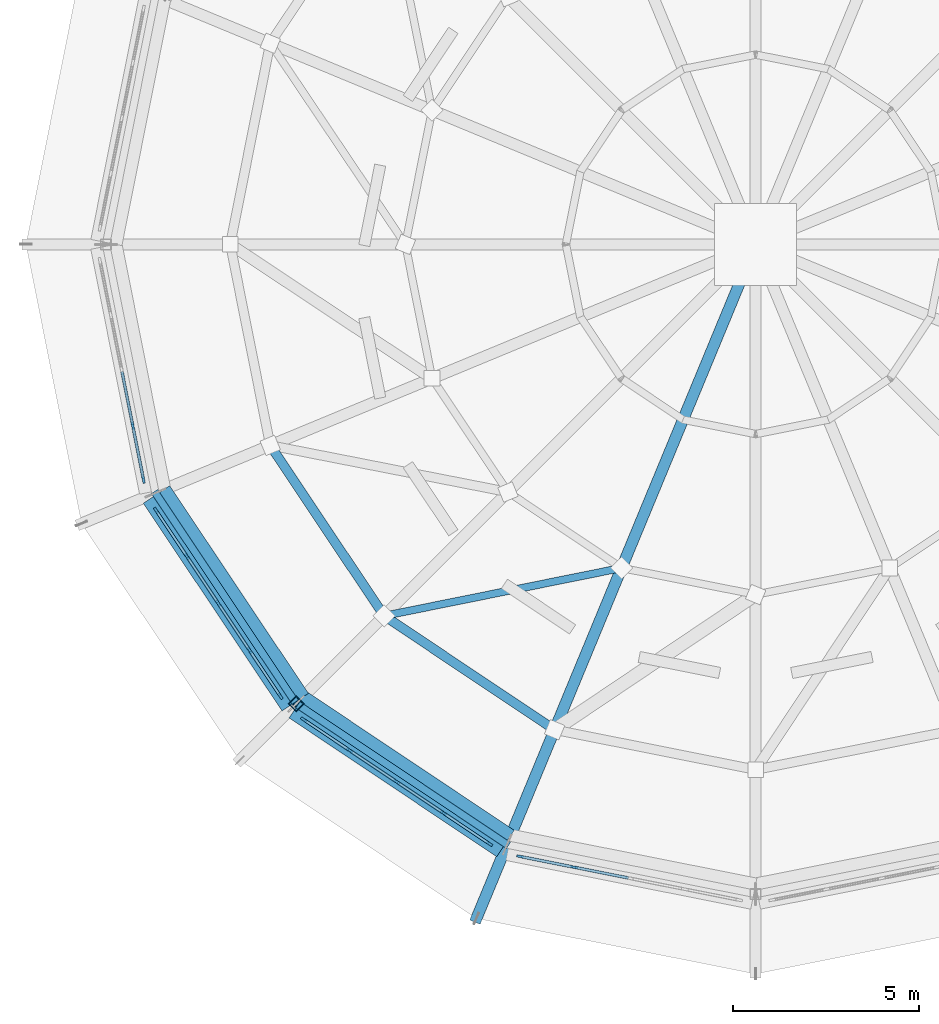
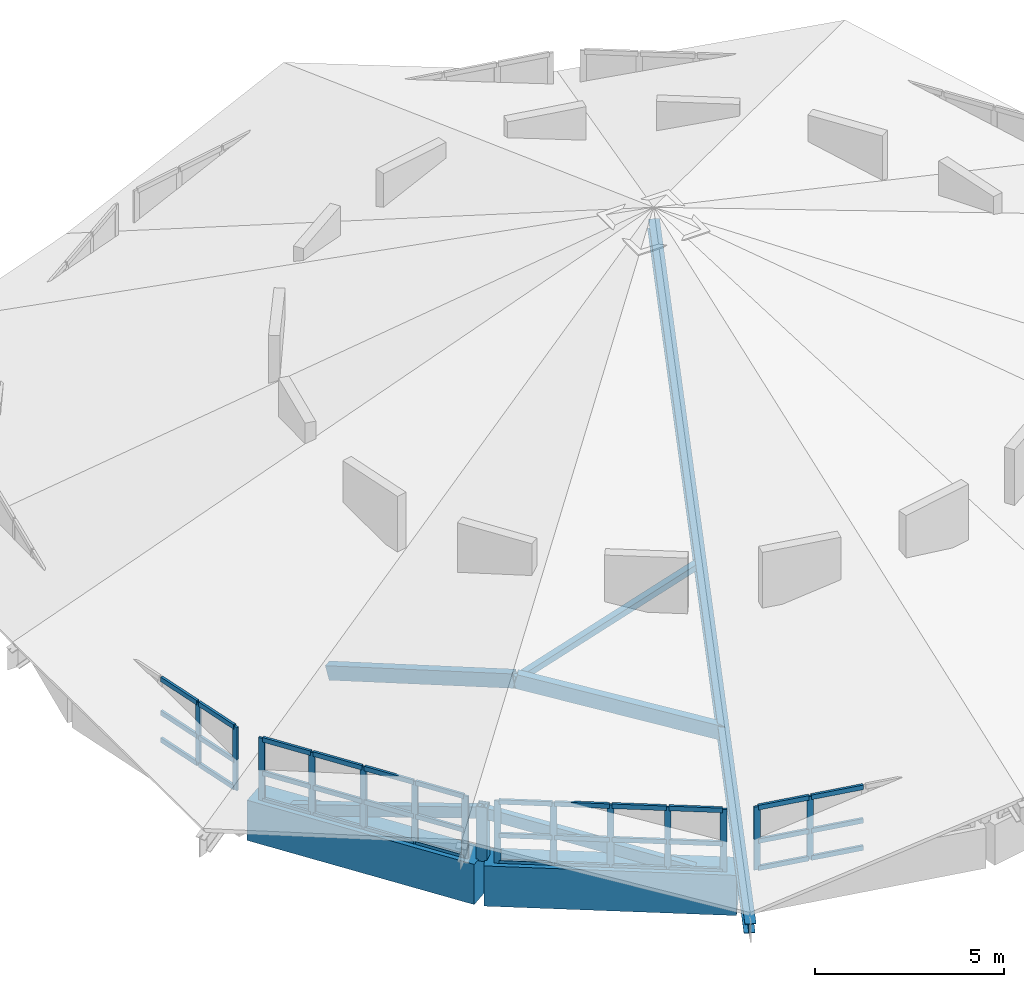
# One storey, part 1 of 18: 57 members, 2 beams, 4 elements without a shape of their own.
"""IFC4 building model written with IfcOpenShell, lengths in metres."""

from ifc_helpers import new_model, si_unit, direction, frame, origin, origin_2d, place, context, subcontext, project, spatial, rectangle, hollow_rectangle, i_section, extrude, material, material_profile, profile_set, type_object, element, aggregate, save


model = new_model("IFC4")

# Units and contexts
model_context = context("Model", 3, precision=1e-05, world=origin(), true_north=direction((0.0, 1.0)))
body_context = subcontext(model_context, "Body", "Model", "MODEL_VIEW")
ifc_project = project(units=[si_unit("LENGTHUNIT", "METRE"), si_unit("AREAUNIT", "SQUARE_METRE"), si_unit("VOLUMEUNIT", "CUBIC_METRE"), si_unit("PLANEANGLEUNIT", "RADIAN"), si_unit("MASSUNIT", "GRAM", prefix="KILO")], contexts=[model_context])

# Site, building, storey
site_placement = place(None, origin())
site = spatial("IfcSite", under=ifc_project, at=site_placement, CompositionType="ELEMENT")
building_placement = place(site_placement, origin())
building = spatial("IfcBuilding", under=site, at=building_placement, Name="Soyqirgoq Riverine Aquarium", CompositionType="ELEMENT")
storey_placement = place(building_placement, frame((0.0, 0.0, 29.39990234375)))
storey = spatial("IfcBuildingStorey", under=building, at=storey_placement, Name="RF", CompositionType="ELEMENT", Elevation=29.39990234375)

# Curtain wall, members
ifc_material_1 = material(Name="Anodised aluminium acoustic solar-control clerestory glazing", Category="aluminium")
curtain_wall_type = type_object("IfcCurtainWallType", Name="CW_Clerestory_Ring", PredefinedType="NOTDEFINED", material=ifc_material_1)
curtain_wall_1_placement = place(storey_placement, origin())
curtain_wall_1 = element("IfcCurtainWall", 1, at=curtain_wall_1_placement, inside=storey, type_object=curtain_wall_type, Name="V1 RF Curtain Wall 033", PredefinedType="NOTDEFINED")
ifc_material_2 = material(Name="Anodised aluminium 6063-T6", Category="aluminium")
ifc_material_profile_1 = material_profile(ifc_material_2, rectangle(XDim=0.06494140625, YDim=0.179931640625, at=origin_2d()), Name="ALU-M 65x180")
ifc_profile_set_1 = profile_set([ifc_material_profile_1], Name="Anodised aluminium 6063-T6")
member_type_1 = type_object("IfcMemberType", Name="CWMullion_65x180", PredefinedType="MULLION", material=ifc_profile_set_1)
member_1_placement = place(storey_placement, frame((39.26953125, 52.125732421875, -0.02001953125), z_axis=(0.0, 0.0, 1.0), x_axis=(0.980784299821, 0.19509525167, 0.0)))
member_1 = element("IfcMember", 2, at=member_1_placement, type_object=member_type_1, Name="CW-02 mullion 4", PredefinedType="MULLION", context=body_context, shape_type="SweptSolid", body=[
    extrude(rectangle(XDim=0.06494140625, YDim=0.179931640625, at=origin_2d()), origin(), (0.0, 0.0, 1.0), 2.0400390625),
])
member_2_placement = place(storey_placement, frame((39.55908203125, 50.670166015625, -0.02001953125), z_axis=(0.0, 0.0, 1.0), x_axis=(0.980784299821, 0.19509525167, 0.0)))
member_2 = element("IfcMember", 3, at=member_2_placement, type_object=member_type_1, Name="CW-02 mullion 5", PredefinedType="MULLION", context=body_context, shape_type="SweptSolid", body=[
    extrude(rectangle(XDim=0.06494140625, YDim=0.179931640625, at=origin_2d()), origin(), (0.0, 0.0, 1.0), 2.0400390625),
])

curtain_wall_2_placement = place(storey_placement, origin())
curtain_wall_2 = element("IfcCurtainWall", 4, at=curtain_wall_2_placement, inside=storey, type_object=curtain_wall_type, Name="V1 RF Curtain Wall 040", PredefinedType="NOTDEFINED")
member_3_placement = place(storey_placement, frame((39.898681640625, 49.850341796875, -0.02001953125), z_axis=(0.0, 0.0, 1.0), x_axis=(0.831463994905, 0.555578639957, 0.0)))
member_3 = element("IfcMember", 5, at=member_3_placement, type_object=member_type_1, Name="CW-02 mullion 1", PredefinedType="MULLION", context=body_context, shape_type="SweptSolid", body=[
    extrude(rectangle(XDim=0.06494140625, YDim=0.179931640625, at=origin_2d()), origin(), (0.0, 0.0, 1.0), 2.0400390625),
])
member_4_placement = place(storey_placement, frame((40.72314453125, 48.6162109375, -0.02001953125), z_axis=(0.0, 0.0, 1.0), x_axis=(0.831463994905, 0.555578639957, 0.0)))
member_4 = element("IfcMember", 6, at=member_4_placement, type_object=member_type_1, Name="CW-02 mullion 2", PredefinedType="MULLION", context=body_context, shape_type="SweptSolid", body=[
    extrude(rectangle(XDim=0.06494140625, YDim=0.179931640625, at=origin_2d()), origin(), (0.0, 0.0, 1.0), 2.0400390625),
])
member_5_placement = place(storey_placement, frame((41.565673828125, 47.35546875, -0.02001953125), z_axis=(0.0, 0.0, 1.0), x_axis=(0.831463994905, 0.555578639957, 0.0)))
member_5 = element("IfcMember", 7, at=member_5_placement, type_object=member_type_1, Name="CW-02 mullion 3", PredefinedType="MULLION", context=body_context, shape_type="SweptSolid", body=[
    extrude(rectangle(XDim=0.06494140625, YDim=0.179931640625, at=origin_2d()), origin(), (0.0, 0.0, 1.0), 2.0400390625),
])
member_6_placement = place(storey_placement, frame((42.408203125, 46.094482421875, -0.02001953125), z_axis=(0.0, 0.0, 1.0), x_axis=(0.831463994905, 0.555578639957, 0.0)))
member_6 = element("IfcMember", 8, at=member_6_placement, type_object=member_type_1, Name="CW-02 mullion 4", PredefinedType="MULLION", context=body_context, shape_type="SweptSolid", body=[
    extrude(rectangle(XDim=0.06494140625, YDim=0.179931640625, at=origin_2d()), origin(), (0.0, 0.0, 1.0), 2.0400390625),
])
member_7_placement = place(storey_placement, frame((43.23291015625, 44.8603515625, -0.02001953125), z_axis=(0.0, 0.0, 1.0), x_axis=(0.831463994905, 0.555578639957, 0.0)))
member_7 = element("IfcMember", 9, at=member_7_placement, type_object=member_type_1, Name="CW-02 mullion 5", PredefinedType="MULLION", context=body_context, shape_type="SweptSolid", body=[
    extrude(rectangle(XDim=0.06494140625, YDim=0.179931640625, at=origin_2d()), origin(), (0.0, 0.0, 1.0), 2.0400390625),
])

curtain_wall_3_placement = place(storey_placement, origin())
curtain_wall_3 = element("IfcCurtainWall", 10, at=curtain_wall_3_placement, inside=storey, type_object=curtain_wall_type, Name="V1 RF Curtain Wall 047", PredefinedType="NOTDEFINED")
member_8_placement = place(storey_placement, frame((43.8603515625, 44.23291015625, -0.02001953125), z_axis=(0.0, 0.0, 1.0), x_axis=(0.555578639957, 0.831463994905, 0.0)))
member_8 = element("IfcMember", 11, at=member_8_placement, type_object=member_type_1, Name="CW-02 mullion 1", PredefinedType="MULLION", context=body_context, shape_type="SweptSolid", body=[
    extrude(rectangle(XDim=0.06494140625, YDim=0.179931640625, at=origin_2d()), origin(), (0.0, 0.0, 1.0), 2.0400390625),
])
member_9_placement = place(storey_placement, frame((45.094482421875, 43.408203125, -0.02001953125), z_axis=(0.0, 0.0, 1.0), x_axis=(0.555578639957, 0.831463994905, 0.0)))
member_9 = element("IfcMember", 12, at=member_9_placement, type_object=member_type_1, Name="CW-02 mullion 2", PredefinedType="MULLION", context=body_context, shape_type="SweptSolid", body=[
    extrude(rectangle(XDim=0.06494140625, YDim=0.179931640625, at=origin_2d()), origin(), (0.0, 0.0, 1.0), 2.0400390625),
])
member_10_placement = place(storey_placement, frame((46.35546875, 42.565673828125, -0.02001953125), z_axis=(0.0, 0.0, 1.0), x_axis=(0.555578639957, 0.831463994905, 0.0)))
member_10 = element("IfcMember", 13, at=member_10_placement, type_object=member_type_1, Name="CW-02 mullion 3", PredefinedType="MULLION", context=body_context, shape_type="SweptSolid", body=[
    extrude(rectangle(XDim=0.06494140625, YDim=0.179931640625, at=origin_2d()), origin(), (0.0, 0.0, 1.0), 2.0400390625),
])
member_11_placement = place(storey_placement, frame((47.6162109375, 41.72314453125, -0.02001953125), z_axis=(0.0, 0.0, 1.0), x_axis=(0.555578639957, 0.831463994905, 0.0)))
member_11 = element("IfcMember", 14, at=member_11_placement, type_object=member_type_1, Name="CW-02 mullion 4", PredefinedType="MULLION", context=body_context, shape_type="SweptSolid", body=[
    extrude(rectangle(XDim=0.06494140625, YDim=0.179931640625, at=origin_2d()), origin(), (0.0, 0.0, 1.0), 2.0400390625),
])
member_12_placement = place(storey_placement, frame((48.850341796875, 40.898681640625, -0.02001953125), z_axis=(0.0, 0.0, 1.0), x_axis=(0.555578639957, 0.831463994905, 0.0)))
member_12 = element("IfcMember", 15, at=member_12_placement, type_object=member_type_1, Name="CW-02 mullion 5", PredefinedType="MULLION", context=body_context, shape_type="SweptSolid", body=[
    extrude(rectangle(XDim=0.06494140625, YDim=0.179931640625, at=origin_2d()), origin(), (0.0, 0.0, 1.0), 2.0400390625),
])

curtain_wall_4_placement = place(storey_placement, origin())
curtain_wall_4 = element("IfcCurtainWall", 16, at=curtain_wall_4_placement, inside=storey, type_object=curtain_wall_type, Name="V1 RF Curtain Wall 054", PredefinedType="NOTDEFINED")
member_13_placement = place(storey_placement, frame((49.670166015625, 40.55908203125, -0.02001953125), z_axis=(0.0, 0.0, 1.0), x_axis=(0.19509525167, 0.980784299821, 0.0)))
member_13 = element("IfcMember", 17, at=member_13_placement, type_object=member_type_1, Name="CW-02 mullion 1", PredefinedType="MULLION", context=body_context, shape_type="SweptSolid", body=[
    extrude(rectangle(XDim=0.06494140625, YDim=0.179931640625, at=origin_2d()), origin(), (0.0, 0.0, 1.0), 2.0400390625),
])
member_14_placement = place(storey_placement, frame((51.125732421875, 40.26953125, -0.02001953125), z_axis=(0.0, 0.0, 1.0), x_axis=(0.19509525167, 0.980784299821, 0.0)))
member_14 = element("IfcMember", 18, at=member_14_placement, type_object=member_type_1, Name="CW-02 mullion 2", PredefinedType="MULLION", context=body_context, shape_type="SweptSolid", body=[
    extrude(rectangle(XDim=0.06494140625, YDim=0.179931640625, at=origin_2d()), origin(), (0.0, 0.0, 1.0), 2.0400390625),
])

# Member
ifc_material_3 = material(Name="Anodised aluminium 6063-T6", Category="aluminium")
ifc_material_profile_2 = material_profile(ifc_material_3, rectangle(XDim=0.074951171875, YDim=0.14990234375, at=origin_2d()), Name="ALU-T 75x150")
ifc_profile_set_2 = profile_set([ifc_material_profile_2], Name="Anodised aluminium 6063-T6")
member_type_2 = type_object("IfcMemberType", Name="CWTransom_75x150", PredefinedType="USERDEFINED", material=ifc_profile_set_2)
member_15_placement = place(storey_placement, frame((38.97998046875, 53.581298828125, 0.017578125), z_axis=(0.195113295173, -0.980780710478, 0.0), x_axis=(0.980780710478, 0.195113295173, 0.0)))
member_15 = element("IfcMember", 19, at=member_15_placement, type_object=member_type_2, Name="CW-02 transom 3.1", ObjectType="TRANSOM", PredefinedType="USERDEFINED", context=body_context, shape_type="SweptSolid", body=[
    extrude(rectangle(XDim=0.074951171875, YDim=0.14990234375, at=origin_2d()), origin(), (0.0, 0.0, 1.0), 1.451416015625),
])

member_16_placement = place(storey_placement, frame((38.97998046875, 53.581298828125, 0.898193359375), z_axis=(0.195113295173, -0.980780710478, 0.0), x_axis=(0.980780710478, 0.195113295173, 0.0)))
member_16 = element("IfcMember", 20, at=member_16_placement, type_object=member_type_2, Name="CW-02 transom 3.2", ObjectType="TRANSOM", PredefinedType="USERDEFINED", context=body_context, shape_type="SweptSolid", body=[
    extrude(rectangle(XDim=0.074951171875, YDim=0.14990234375, at=origin_2d()), origin(), (0.0, 0.0, 1.0), 1.451416015625),
])

member_17_placement = place(storey_placement, frame((38.97998046875, 53.581298828125, 1.982666015625), z_axis=(0.195113295173, -0.980780710478, 0.0), x_axis=(0.980780710478, 0.195113295173, 0.0)))
member_17 = element("IfcMember", 21, at=member_17_placement, type_object=member_type_2, Name="CW-02 transom 3.3", ObjectType="TRANSOM", PredefinedType="USERDEFINED", context=body_context, shape_type="SweptSolid", body=[
    extrude(rectangle(XDim=0.074951171875, YDim=0.14990234375, at=origin_2d()), origin(), (0.0, 0.0, 1.0), 1.451416015625),
])

member_18_placement = place(storey_placement, frame((39.27587890625, 52.093994140625, 0.017578125), z_axis=(0.195090420246, -0.980785260864, 0.0), x_axis=(0.980785260864, 0.195090420246, 0.0)))
member_18 = element("IfcMember", 22, at=member_18_placement, type_object=member_type_2, Name="CW-02 transom 4.1", ObjectType="TRANSOM", PredefinedType="USERDEFINED", context=body_context, shape_type="SweptSolid", body=[
    extrude(rectangle(XDim=0.074951171875, YDim=0.14990234375, at=origin_2d()), origin(), (0.0, 0.0, 1.0), 1.419189453125),
])

member_19_placement = place(storey_placement, frame((39.27587890625, 52.093994140625, 0.898193359375), z_axis=(0.195090420246, -0.980785260864, 0.0), x_axis=(0.980785260864, 0.195090420246, 0.0)))
member_19 = element("IfcMember", 23, at=member_19_placement, type_object=member_type_2, Name="CW-02 transom 4.2", ObjectType="TRANSOM", PredefinedType="USERDEFINED", context=body_context, shape_type="SweptSolid", body=[
    extrude(rectangle(XDim=0.074951171875, YDim=0.14990234375, at=origin_2d()), origin(), (0.0, 0.0, 1.0), 1.419189453125),
])

member_20_placement = place(storey_placement, frame((39.27587890625, 52.093994140625, 1.982666015625), z_axis=(0.195090420246, -0.980785260864, 0.0), x_axis=(0.980785260864, 0.195090420246, 0.0)))
member_20 = element("IfcMember", 24, at=member_20_placement, type_object=member_type_2, Name="CW-02 transom 4.3", ObjectType="TRANSOM", PredefinedType="USERDEFINED", context=body_context, shape_type="SweptSolid", body=[
    extrude(rectangle(XDim=0.074951171875, YDim=0.14990234375, at=origin_2d()), origin(), (0.0, 0.0, 1.0), 1.419189453125),
])

aggregate(curtain_wall_1, [member_1, member_2, member_15, member_16, member_17, member_18, member_19, member_20])

member_21_placement = place(storey_placement, frame((39.916748046875, 49.8232421875, 0.017578125), z_axis=(0.55553367483, -0.831494038542, 0.0), x_axis=(0.831494038542, 0.55553367483, 0.0)))
member_21 = element("IfcMember", 25, at=member_21_placement, type_object=member_type_2, Name="CW-02 transom 1.1", ObjectType="TRANSOM", PredefinedType="USERDEFINED", context=body_context, shape_type="SweptSolid", body=[
    extrude(rectangle(XDim=0.074951171875, YDim=0.14990234375, at=origin_2d()), origin(), (0.0, 0.0, 1.0), 1.4189453125),
])

member_22_placement = place(storey_placement, frame((39.916748046875, 49.8232421875, 0.898193359375), z_axis=(0.55553367483, -0.831494038542, 0.0), x_axis=(0.831494038542, 0.55553367483, 0.0)))
member_22 = element("IfcMember", 26, at=member_22_placement, type_object=member_type_2, Name="CW-02 transom 1.2", ObjectType="TRANSOM", PredefinedType="USERDEFINED", context=body_context, shape_type="SweptSolid", body=[
    extrude(rectangle(XDim=0.074951171875, YDim=0.14990234375, at=origin_2d()), origin(), (0.0, 0.0, 1.0), 1.4189453125),
])

member_23_placement = place(storey_placement, frame((39.916748046875, 49.8232421875, 1.982666015625), z_axis=(0.55553367483, -0.831494038542, 0.0), x_axis=(0.831494038542, 0.55553367483, 0.0)))
member_23 = element("IfcMember", 27, at=member_23_placement, type_object=member_type_2, Name="CW-02 transom 1.3", ObjectType="TRANSOM", PredefinedType="USERDEFINED", context=body_context, shape_type="SweptSolid", body=[
    extrude(rectangle(XDim=0.074951171875, YDim=0.14990234375, at=origin_2d()), origin(), (0.0, 0.0, 1.0), 1.4189453125),
])

member_24_placement = place(storey_placement, frame((40.7412109375, 48.58935546875, 0.017578125), z_axis=(0.555514980368, -0.831506528289, 0.0), x_axis=(0.831506528289, 0.555514980368, 0.0)))
member_24 = element("IfcMember", 28, at=member_24_placement, type_object=member_type_2, Name="CW-02 transom 2.1", ObjectType="TRANSOM", PredefinedType="USERDEFINED", context=body_context, shape_type="SweptSolid", body=[
    extrude(rectangle(XDim=0.074951171875, YDim=0.14990234375, at=origin_2d()), origin(), (0.0, 0.0, 1.0), 1.45166015625),
])

member_25_placement = place(storey_placement, frame((40.7412109375, 48.58935546875, 0.898193359375), z_axis=(0.555514980368, -0.831506528289, 0.0), x_axis=(0.831506528289, 0.555514980368, 0.0)))
member_25 = element("IfcMember", 29, at=member_25_placement, type_object=member_type_2, Name="CW-02 transom 2.2", ObjectType="TRANSOM", PredefinedType="USERDEFINED", context=body_context, shape_type="SweptSolid", body=[
    extrude(rectangle(XDim=0.074951171875, YDim=0.14990234375, at=origin_2d()), origin(), (0.0, 0.0, 1.0), 1.45166015625),
])

member_26_placement = place(storey_placement, frame((40.7412109375, 48.58935546875, 1.982666015625), z_axis=(0.555514980368, -0.831506528289, 0.0), x_axis=(0.831506528289, 0.555514980368, 0.0)))
member_26 = element("IfcMember", 30, at=member_26_placement, type_object=member_type_2, Name="CW-02 transom 2.3", ObjectType="TRANSOM", PredefinedType="USERDEFINED", context=body_context, shape_type="SweptSolid", body=[
    extrude(rectangle(XDim=0.074951171875, YDim=0.14990234375, at=origin_2d()), origin(), (0.0, 0.0, 1.0), 1.45166015625),
])

member_27_placement = place(storey_placement, frame((41.583740234375, 47.328369140625, 0.017578125), z_axis=(0.555631247688, -0.831428840366, 0.0), x_axis=(0.831428840366, 0.555631247688, 0.0)))
member_27 = element("IfcMember", 31, at=member_27_placement, type_object=member_type_2, Name="CW-02 transom 3.1", ObjectType="TRANSOM", PredefinedType="USERDEFINED", context=body_context, shape_type="SweptSolid", body=[
    extrude(rectangle(XDim=0.074951171875, YDim=0.14990234375, at=origin_2d()), origin(), (0.0, 0.0, 1.0), 1.45166015625),
])

member_28_placement = place(storey_placement, frame((41.583740234375, 47.328369140625, 0.898193359375), z_axis=(0.555631247688, -0.831428840366, 0.0), x_axis=(0.831428840366, 0.555631247688, 0.0)))
member_28 = element("IfcMember", 32, at=member_28_placement, type_object=member_type_2, Name="CW-02 transom 3.2", ObjectType="TRANSOM", PredefinedType="USERDEFINED", context=body_context, shape_type="SweptSolid", body=[
    extrude(rectangle(XDim=0.074951171875, YDim=0.14990234375, at=origin_2d()), origin(), (0.0, 0.0, 1.0), 1.45166015625),
])

member_29_placement = place(storey_placement, frame((41.583740234375, 47.328369140625, 1.982666015625), z_axis=(0.555631247688, -0.831428840366, 0.0), x_axis=(0.831428840366, 0.555631247688, 0.0)))
member_29 = element("IfcMember", 33, at=member_29_placement, type_object=member_type_2, Name="CW-02 transom 3.3", ObjectType="TRANSOM", PredefinedType="USERDEFINED", context=body_context, shape_type="SweptSolid", body=[
    extrude(rectangle(XDim=0.074951171875, YDim=0.14990234375, at=origin_2d()), origin(), (0.0, 0.0, 1.0), 1.45166015625),
])

member_30_placement = place(storey_placement, frame((42.42626953125, 46.0673828125, 0.017578125), z_axis=(0.555652606731, -0.831414566046, 0.0), x_axis=(0.831414566046, 0.555652606731, 0.0)))
member_30 = element("IfcMember", 34, at=member_30_placement, type_object=member_type_2, Name="CW-02 transom 4.1", ObjectType="TRANSOM", PredefinedType="USERDEFINED", context=body_context, shape_type="SweptSolid", body=[
    extrude(rectangle(XDim=0.074951171875, YDim=0.14990234375, at=origin_2d()), origin(), (0.0, 0.0, 1.0), 1.419189453125),
])

member_31_placement = place(storey_placement, frame((42.42626953125, 46.0673828125, 0.898193359375), z_axis=(0.555652606731, -0.831414566046, 0.0), x_axis=(0.831414566046, 0.555652606731, 0.0)))
member_31 = element("IfcMember", 35, at=member_31_placement, type_object=member_type_2, Name="CW-02 transom 4.2", ObjectType="TRANSOM", PredefinedType="USERDEFINED", context=body_context, shape_type="SweptSolid", body=[
    extrude(rectangle(XDim=0.074951171875, YDim=0.14990234375, at=origin_2d()), origin(), (0.0, 0.0, 1.0), 1.419189453125),
])

member_32_placement = place(storey_placement, frame((42.42626953125, 46.0673828125, 1.982666015625), z_axis=(0.555652606731, -0.831414566046, 0.0), x_axis=(0.831414566046, 0.555652606731, 0.0)))
member_32 = element("IfcMember", 36, at=member_32_placement, type_object=member_type_2, Name="CW-02 transom 4.3", ObjectType="TRANSOM", PredefinedType="USERDEFINED", context=body_context, shape_type="SweptSolid", body=[
    extrude(rectangle(XDim=0.074951171875, YDim=0.14990234375, at=origin_2d()), origin(), (0.0, 0.0, 1.0), 1.419189453125),
])

aggregate(curtain_wall_2, [member_3, member_4, member_5, member_6, member_7, member_21, member_22, member_23, member_24, member_25, member_26, member_27, member_28, member_29, member_30, member_31, member_32])

member_33_placement = place(storey_placement, frame((43.887451171875, 44.21484375, 0.017578125), z_axis=(0.831414566046, -0.555652606731, 0.0), x_axis=(0.555652606731, 0.831414566046, 0.0)))
member_33 = element("IfcMember", 37, at=member_33_placement, type_object=member_type_2, Name="CW-02 transom 1.1", ObjectType="TRANSOM", PredefinedType="USERDEFINED", context=body_context, shape_type="SweptSolid", body=[
    extrude(rectangle(XDim=0.074951171875, YDim=0.14990234375, at=origin_2d()), origin(), (0.0, 0.0, 1.0), 1.419189453125),
])

member_34_placement = place(storey_placement, frame((43.887451171875, 44.21484375, 0.898193359375), z_axis=(0.831414566046, -0.555652606731, 0.0), x_axis=(0.555652606731, 0.831414566046, 0.0)))
member_34 = element("IfcMember", 38, at=member_34_placement, type_object=member_type_2, Name="CW-02 transom 1.2", ObjectType="TRANSOM", PredefinedType="USERDEFINED", context=body_context, shape_type="SweptSolid", body=[
    extrude(rectangle(XDim=0.074951171875, YDim=0.14990234375, at=origin_2d()), origin(), (0.0, 0.0, 1.0), 1.419189453125),
])

member_35_placement = place(storey_placement, frame((43.887451171875, 44.21484375, 1.982666015625), z_axis=(0.831414566046, -0.555652606731, 0.0), x_axis=(0.555652606731, 0.831414566046, 0.0)))
member_35 = element("IfcMember", 39, at=member_35_placement, type_object=member_type_2, Name="CW-02 transom 1.3", ObjectType="TRANSOM", PredefinedType="USERDEFINED", context=body_context, shape_type="SweptSolid", body=[
    extrude(rectangle(XDim=0.074951171875, YDim=0.14990234375, at=origin_2d()), origin(), (0.0, 0.0, 1.0), 1.419189453125),
])

member_36_placement = place(storey_placement, frame((45.121337890625, 43.390380859375, 0.017578125), z_axis=(0.831428840366, -0.555631247688, 0.0), x_axis=(0.555631247688, 0.831428840366, 0.0)))
member_36 = element("IfcMember", 40, at=member_36_placement, type_object=member_type_2, Name="CW-02 transom 2.1", ObjectType="TRANSOM", PredefinedType="USERDEFINED", context=body_context, shape_type="SweptSolid", body=[
    extrude(rectangle(XDim=0.074951171875, YDim=0.14990234375, at=origin_2d()), origin(), (0.0, 0.0, 1.0), 1.45166015625),
])

member_37_placement = place(storey_placement, frame((45.121337890625, 43.390380859375, 0.898193359375), z_axis=(0.831428840366, -0.555631247688, 0.0), x_axis=(0.555631247688, 0.831428840366, 0.0)))
member_37 = element("IfcMember", 41, at=member_37_placement, type_object=member_type_2, Name="CW-02 transom 2.2", ObjectType="TRANSOM", PredefinedType="USERDEFINED", context=body_context, shape_type="SweptSolid", body=[
    extrude(rectangle(XDim=0.074951171875, YDim=0.14990234375, at=origin_2d()), origin(), (0.0, 0.0, 1.0), 1.45166015625),
])

member_38_placement = place(storey_placement, frame((45.121337890625, 43.390380859375, 1.982666015625), z_axis=(0.831428840366, -0.555631247688, 0.0), x_axis=(0.555631247688, 0.831428840366, 0.0)))
member_38 = element("IfcMember", 42, at=member_38_placement, type_object=member_type_2, Name="CW-02 transom 2.3", ObjectType="TRANSOM", PredefinedType="USERDEFINED", context=body_context, shape_type="SweptSolid", body=[
    extrude(rectangle(XDim=0.074951171875, YDim=0.14990234375, at=origin_2d()), origin(), (0.0, 0.0, 1.0), 1.45166015625),
])

member_39_placement = place(storey_placement, frame((46.38232421875, 42.547607421875, 0.017578125), z_axis=(0.831506528289, -0.555514980368, 0.0), x_axis=(0.555514980368, 0.831506528289, 0.0)))
member_39 = element("IfcMember", 43, at=member_39_placement, type_object=member_type_2, Name="CW-02 transom 3.1", ObjectType="TRANSOM", PredefinedType="USERDEFINED", context=body_context, shape_type="SweptSolid", body=[
    extrude(rectangle(XDim=0.074951171875, YDim=0.14990234375, at=origin_2d()), origin(), (0.0, 0.0, 1.0), 1.45166015625),
])

member_40_placement = place(storey_placement, frame((46.38232421875, 42.547607421875, 0.898193359375), z_axis=(0.831506528289, -0.555514980368, 0.0), x_axis=(0.555514980368, 0.831506528289, 0.0)))
member_40 = element("IfcMember", 44, at=member_40_placement, type_object=member_type_2, Name="CW-02 transom 3.2", ObjectType="TRANSOM", PredefinedType="USERDEFINED", context=body_context, shape_type="SweptSolid", body=[
    extrude(rectangle(XDim=0.074951171875, YDim=0.14990234375, at=origin_2d()), origin(), (0.0, 0.0, 1.0), 1.45166015625),
])

member_41_placement = place(storey_placement, frame((46.38232421875, 42.547607421875, 1.982666015625), z_axis=(0.831506528289, -0.555514980368, 0.0), x_axis=(0.555514980368, 0.831506528289, 0.0)))
member_41 = element("IfcMember", 45, at=member_41_placement, type_object=member_type_2, Name="CW-02 transom 3.3", ObjectType="TRANSOM", PredefinedType="USERDEFINED", context=body_context, shape_type="SweptSolid", body=[
    extrude(rectangle(XDim=0.074951171875, YDim=0.14990234375, at=origin_2d()), origin(), (0.0, 0.0, 1.0), 1.45166015625),
])

member_42_placement = place(storey_placement, frame((47.643310546875, 41.705078125, 0.017578125), z_axis=(0.831494038542, -0.55553367483, 0.0), x_axis=(0.55553367483, 0.831494038542, 0.0)))
member_42 = element("IfcMember", 46, at=member_42_placement, type_object=member_type_2, Name="CW-02 transom 4.1", ObjectType="TRANSOM", PredefinedType="USERDEFINED", context=body_context, shape_type="SweptSolid", body=[
    extrude(rectangle(XDim=0.074951171875, YDim=0.14990234375, at=origin_2d()), origin(), (0.0, 0.0, 1.0), 1.4189453125),
])

member_43_placement = place(storey_placement, frame((47.643310546875, 41.705078125, 0.898193359375), z_axis=(0.831494038542, -0.55553367483, 0.0), x_axis=(0.55553367483, 0.831494038542, 0.0)))
member_43 = element("IfcMember", 47, at=member_43_placement, type_object=member_type_2, Name="CW-02 transom 4.2", ObjectType="TRANSOM", PredefinedType="USERDEFINED", context=body_context, shape_type="SweptSolid", body=[
    extrude(rectangle(XDim=0.074951171875, YDim=0.14990234375, at=origin_2d()), origin(), (0.0, 0.0, 1.0), 1.4189453125),
])

member_44_placement = place(storey_placement, frame((47.643310546875, 41.705078125, 1.982666015625), z_axis=(0.831494038542, -0.55553367483, 0.0), x_axis=(0.55553367483, 0.831494038542, 0.0)))
member_44 = element("IfcMember", 48, at=member_44_placement, type_object=member_type_2, Name="CW-02 transom 4.3", ObjectType="TRANSOM", PredefinedType="USERDEFINED", context=body_context, shape_type="SweptSolid", body=[
    extrude(rectangle(XDim=0.074951171875, YDim=0.14990234375, at=origin_2d()), origin(), (0.0, 0.0, 1.0), 1.4189453125),
])

aggregate(curtain_wall_3, [member_8, member_9, member_10, member_11, member_12, member_33, member_34, member_35, member_36, member_37, member_38, member_39, member_40, member_41, member_42, member_43, member_44])

member_45_placement = place(storey_placement, frame((49.7021484375, 40.552734375, 0.017578125), z_axis=(0.980785260864, -0.195090420246, 0.0), x_axis=(0.195090420246, 0.980785260864, 0.0)))
member_45 = element("IfcMember", 49, at=member_45_placement, type_object=member_type_2, Name="CW-02 transom 1.1", ObjectType="TRANSOM", PredefinedType="USERDEFINED", context=body_context, shape_type="SweptSolid", body=[
    extrude(rectangle(XDim=0.074951171875, YDim=0.14990234375, at=origin_2d()), origin(), (0.0, 0.0, 1.0), 1.419189453125),
])

member_46_placement = place(storey_placement, frame((49.7021484375, 40.552734375, 0.898193359375), z_axis=(0.980785260864, -0.195090420246, 0.0), x_axis=(0.195090420246, 0.980785260864, 0.0)))
member_46 = element("IfcMember", 50, at=member_46_placement, type_object=member_type_2, Name="CW-02 transom 1.2", ObjectType="TRANSOM", PredefinedType="USERDEFINED", context=body_context, shape_type="SweptSolid", body=[
    extrude(rectangle(XDim=0.074951171875, YDim=0.14990234375, at=origin_2d()), origin(), (0.0, 0.0, 1.0), 1.419189453125),
])

member_47_placement = place(storey_placement, frame((49.7021484375, 40.552734375, 1.982666015625), z_axis=(0.980785260864, -0.195090420246, 0.0), x_axis=(0.195090420246, 0.980785260864, 0.0)))
member_47 = element("IfcMember", 51, at=member_47_placement, type_object=member_type_2, Name="CW-02 transom 1.3", ObjectType="TRANSOM", PredefinedType="USERDEFINED", context=body_context, shape_type="SweptSolid", body=[
    extrude(rectangle(XDim=0.074951171875, YDim=0.14990234375, at=origin_2d()), origin(), (0.0, 0.0, 1.0), 1.419189453125),
])

member_48_placement = place(storey_placement, frame((51.15771484375, 40.26318359375, 0.017578125), z_axis=(0.980780710478, -0.195113295173, 0.0), x_axis=(0.195113295173, 0.980780710478, 0.0)))
member_48 = element("IfcMember", 52, at=member_48_placement, type_object=member_type_2, Name="CW-02 transom 2.1", ObjectType="TRANSOM", PredefinedType="USERDEFINED", context=body_context, shape_type="SweptSolid", body=[
    extrude(rectangle(XDim=0.074951171875, YDim=0.14990234375, at=origin_2d()), origin(), (0.0, 0.0, 1.0), 1.451416015625),
])

member_49_placement = place(storey_placement, frame((51.15771484375, 40.26318359375, 0.898193359375), z_axis=(0.980780710478, -0.195113295173, 0.0), x_axis=(0.195113295173, 0.980780710478, 0.0)))
member_49 = element("IfcMember", 53, at=member_49_placement, type_object=member_type_2, Name="CW-02 transom 2.2", ObjectType="TRANSOM", PredefinedType="USERDEFINED", context=body_context, shape_type="SweptSolid", body=[
    extrude(rectangle(XDim=0.074951171875, YDim=0.14990234375, at=origin_2d()), origin(), (0.0, 0.0, 1.0), 1.451416015625),
])

member_50_placement = place(storey_placement, frame((51.15771484375, 40.26318359375, 1.982666015625), z_axis=(0.980780710478, -0.195113295173, 0.0), x_axis=(0.195113295173, 0.980780710478, 0.0)))
member_50 = element("IfcMember", 54, at=member_50_placement, type_object=member_type_2, Name="CW-02 transom 2.3", ObjectType="TRANSOM", PredefinedType="USERDEFINED", context=body_context, shape_type="SweptSolid", body=[
    extrude(rectangle(XDim=0.074951171875, YDim=0.14990234375, at=origin_2d()), origin(), (0.0, 0.0, 1.0), 1.451416015625),
])

aggregate(curtain_wall_4, [member_13, member_14, member_45, member_46, member_47, member_48, member_49, member_50])

# Members
ifc_material_4 = material(Name="Structural steel S355", Category="steel")
ifc_material_profile_3 = material_profile(ifc_material_4, i_section(OverallWidth=0.300048828125, OverallDepth=0.5, WebThickness=0.014404296875, FlangeThickness=0.028076171875, FilletRadius=0.027099609375, at=origin_2d()), Name="HEB 500")
ifc_profile_set_3 = profile_set([ifc_material_profile_3], Name="Structural steel S355")
member_type_3 = type_object("IfcMemberType", Name="FoldChord_HEB500", PredefinedType="CHORD", material=ifc_profile_set_3)
member_51_placement = place(storey_placement, frame((48.49951171875, 38.89208984375, -0.52001953125), z_axis=(0.346415226376, 0.836326324469, 0.42491736836), x_axis=(-0.923880501031, 0.382681094144, 0.0)))
element("IfcMember", 55, at=member_51_placement, inside=storey, type_object=member_type_3, Name="V1 Radial Folded-Plate Valley Rib 12", PredefinedType="CHORD", context=body_context, shape_type="SweptSolid", body=[
    extrude(i_section(OverallWidth=0.300048828125, OverallDepth=0.5, WebThickness=0.014404296875, FlangeThickness=0.028076171875, FilletRadius=0.027099609375, at=origin_2d()), origin(), (0.0, 0.0, 1.0), 21.651611328125),
])
ifc_material_5 = material(Name="Structural steel S355", Category="steel")
ifc_material_profile_4 = material_profile(ifc_material_5, hollow_rectangle(XDim=0.199951171875, YDim=0.35009765625, WallThickness=0.012451171875, at=origin_2d()), Name="RHS 350x200x12.5")
ifc_profile_set_4 = profile_set([ifc_material_profile_4], Name="Structural steel S355")
member_type_4 = type_object("IfcMemberType", Name="GableChord_RHS350x200", PredefinedType="CHORD", material=ifc_profile_set_4)
for number, where, z_axis, x_axis, name in (
    (56, (39.87841796875, 50.322265625, -0.52001953125), (0.533015890105, -0.797786450374, 0.281834775172), (0.831492708817, 0.555535665087, 0.0), "V1 Folded-Plate Gable Edge Chord 10"),
    (57, (43.660888671875, 44.660888671875, 1.47998046875), (0.797786450374, -0.533015890105, -0.281834775172), (0.555535665087, 0.831492708817, 0.0), "V1 Folded-Plate Gable Edge Chord 11"),
):
    element("IfcMember", number, at=place(storey_placement, frame(where, z_axis=z_axis, x_axis=x_axis)), inside=storey, type_object=member_type_4, Name=name, PredefinedType="CHORD", context=body_context, shape_type="SweptSolid", body=[
        extrude(hollow_rectangle(XDim=0.199951171875, YDim=0.35009765625, WallThickness=0.012451171875, at=origin_2d()), origin(), (0.0, 0.0, 1.0), 7.096435546875),
    ])

# Beams
ifc_material_6 = material(Name="Concrete C40/50", Category="concrete")
ifc_material_profile_5 = material_profile(ifc_material_6, rectangle(XDim=0.85009765625, YDim=1.300048828125, at=origin_2d()), Name="RC 850x1300")
ifc_profile_set_5 = profile_set([ifc_material_profile_5], Name="Concrete C40/50")
beam_type = type_object("IfcBeamType", Name="Girder_RC_850x1300", PredefinedType="BEAM", material=ifc_profile_set_5)
for number, where, z_axis, x_axis, name in (
    (58, (39.906005859375, 50.280517578125, -0.64990234375), (0.555598478126, -0.831450738832, 0.0), (0.831450738832, 0.555598478126, 0.0), "V1 RF Folded-Plate Compression Ring Girder 0163"),
    (59, (43.70263671875, 44.63330078125, -0.64990234375), (0.831450738832, -0.555598478126, 0.0), (0.555598478126, 0.831450738832, 0.0), "V1 RF Folded-Plate Compression Ring Girder 0164"),
):
    element("IfcBeam", number, at=place(storey_placement, frame(where, z_axis=z_axis, x_axis=x_axis)), inside=storey, type_object=beam_type, Name=name, PredefinedType="BEAM", context=body_context, shape_type="SweptSolid", body=[
        extrude(rectangle(XDim=0.85009765625, YDim=1.300048828125, at=origin_2d()), origin(), (0.0, 0.0, 1.0), 6.70849609375),
    ])

# Members
ifc_material_7 = material(Name="Structural steel S355", Category="steel")
ifc_material_profile_6 = material_profile(ifc_material_7, hollow_rectangle(XDim=0.25, YDim=0.449951171875, WallThickness=0.01611328125, at=origin_2d()), Name="RHS 450x250x16")
ifc_profile_set_6 = profile_set([ifc_material_profile_6], Name="Structural steel S355")
member_type_5 = type_object("IfcMemberType", Name="RingChord_RHS450x250", PredefinedType="CHORD", material=ifc_profile_set_6)
for number, where, z_axis, x_axis, name in (
    (60, (42.962158203125, 51.599609375, 2.05615234375), (0.537485007433, -0.804425885426, 0.252999726563), (0.831476862669, 0.555559381925, 0.0), "V1 Folded-Plate Circumferential Ring Chord 0107"),
    (61, (46.021240234375, 47.021240234375, 3.49609375), (0.804425885426, -0.537485007433, -0.252999726563), (0.555559381925, 0.831476862669, 0.0), "V1 Folded-Plate Circumferential Ring Chord 0112"),
):
    element("IfcMember", number, at=place(storey_placement, frame(where, z_axis=z_axis, x_axis=x_axis)), inside=storey, type_object=member_type_5, Name=name, PredefinedType="CHORD", context=body_context, shape_type="SweptSolid", body=[
        extrude(hollow_rectangle(XDim=0.25, YDim=0.449951171875, WallThickness=0.01611328125, at=origin_2d()), origin(), (0.0, 0.0, 1.0), 5.69140625),
    ])
ifc_material_8 = material(Name="Structural steel S355", Category="steel")
ifc_material_profile_7 = material_profile(ifc_material_8, hollow_rectangle(XDim=0.199951171875, YDim=0.199951171875, WallThickness=0.011962890625, at=origin_2d()), Name="SHS 200x200x12")
ifc_profile_set_7 = profile_set([ifc_material_profile_7], Name="Structural steel S355")
member_type_6 = type_object("IfcMemberType", Name="Strut_SHS200", PredefinedType="STRUT", material=ifc_profile_set_7)
member_52_placement = place(storey_placement, frame((46.021240234375, 47.021240234375, 3.47607421875), z_axis=(0.97349046289, 0.196404663167, 0.117224259215), x_axis=(-0.197768181979, 0.980248818513, 0.0)))
element("IfcMember", 62, at=member_52_placement, inside=storey, type_object=member_type_6, Name="V1 Folded-Plate Lateral Brace 11", PredefinedType="STRUT", context=body_context, shape_type="SweptSolid", body=[
    extrude(hollow_rectangle(XDim=0.199951171875, YDim=0.199951171875, WallThickness=0.011962890625, at=origin_2d()), origin(), (0.0, 0.0, 1.0), 6.552001953125),
])
ifc_material_9 = material(Name="Structural steel S355", Category="steel")
ifc_material_profile_8 = material_profile(ifc_material_9, hollow_rectangle(XDim=0.300048828125, YDim=0.300048828125, WallThickness=0.01611328125, at=origin_2d()), Name="SHS 300x300x16")
ifc_profile_set_8 = profile_set([ifc_material_profile_8], Name="Structural steel S355")
member_type_7 = type_object("IfcMemberType", Name="Strut_SHS300", PredefinedType="POST", material=ifc_profile_set_8)
member_53_placement = place(storey_placement, frame((43.660888671875, 44.660888671875, -0.0498046875), z_axis=(0.0, 0.0, 1.0), x_axis=(-0.707106781187, -0.707106781187, 0.0)))
element("IfcMember", 63, at=member_53_placement, inside=storey, type_object=member_type_7, Name="V1 Folded-Plate Ridge Post 10", PredefinedType="POST", context=body_context, shape_type="SweptSolid", body=[
    extrude(hollow_rectangle(XDim=0.300048828125, YDim=0.300048828125, WallThickness=0.01611328125, at=origin_2d()), origin(), (0.0, 0.0, 1.0), 1.75),
])

save(model, "model.ifc")
